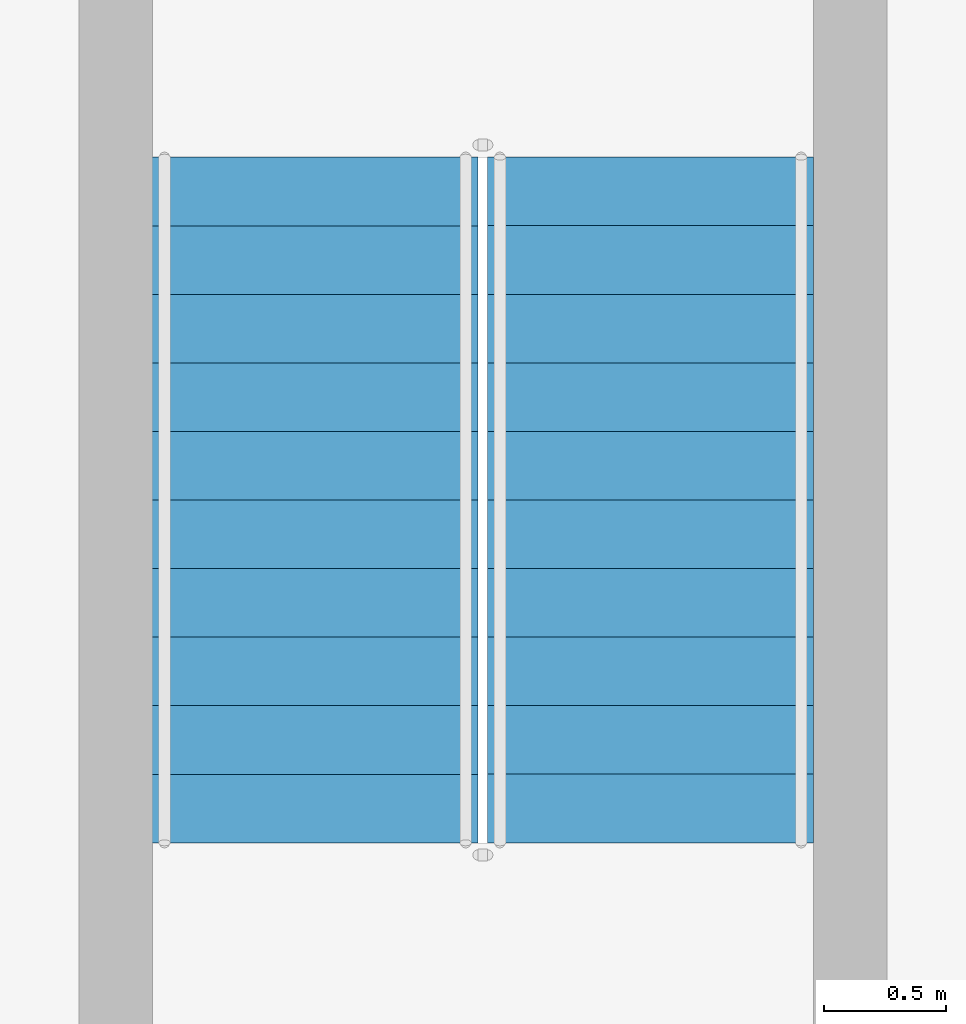
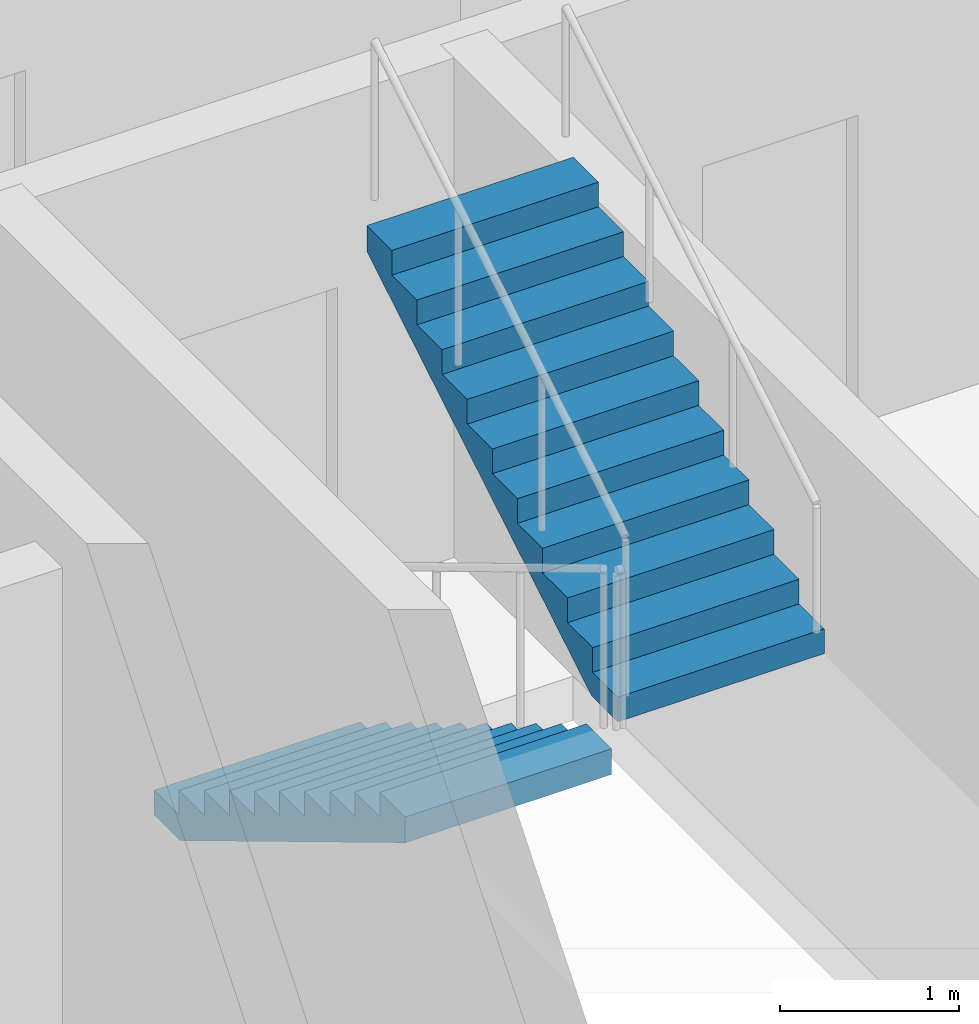
# One storey, part 15 of 24: 2 stair flights, 1 element without a shape of its own.
"""IFC4 building model written with IfcOpenShell, lengths in metres."""

from ifc_helpers import new_model, si_unit, direction, frame, origin, place, context, subcontext, project, spatial, triangles, source, transform, mapped, material, type_object, element, aggregate, save


model = new_model("IFC4")

# Units and contexts
model_context = context("Model", 3, precision=1e-05, world=origin(), true_north=direction((0.0, 1.0)))
body_context = subcontext(model_context, "Body", "Model", "MODEL_VIEW")
ifc_project = project(units=[si_unit("LENGTHUNIT", "METRE"), si_unit("AREAUNIT", "SQUARE_METRE"), si_unit("VOLUMEUNIT", "CUBIC_METRE"), si_unit("PLANEANGLEUNIT", "RADIAN"), si_unit("MASSUNIT", "GRAM", prefix="KILO")], contexts=[model_context])

# Site, building, storey
site_placement = place(None, origin())
site = spatial("IfcSite", under=ifc_project, at=site_placement, CompositionType="ELEMENT")
building_placement = place(site_placement, origin())
building = spatial("IfcBuilding", under=site, at=building_placement, Name="Ogive Portal Towers", CompositionType="ELEMENT")
storey_placement = place(building_placement, frame((0.0, 0.0, 142.199951171875)))
storey = spatial("IfcBuildingStorey", under=building, at=storey_placement, Name="L34", CompositionType="ELEMENT", Elevation=142.199951171875)

# Stair, stair flights
ifc_material = material(Name="Concrete C40/50", Category="concrete")
stair_type = type_object("IfcStairType", Name="INT-STAIR", PredefinedType="HALF_TURN_STAIR", material=ifc_material)
stair_placement = place(storey_placement, origin())
stair = element("IfcStair", 1, at=stair_placement, inside=storey, type_object=stair_type, Name="L34 Exit Stair ST-A4", PredefinedType="HALF_TURN_STAIR")
stair_flight_type = type_object("IfcStairFlightType", Name="INT-FLIGHT", PredefinedType="STRAIGHT", material=ifc_material)
shared_shape = source(origin(), body_context, "Body", "Tessellation", [
    triangles([(0.0, -0.6650390625, 0.0), (0.0, -0.384765625, 0.0), (0.0, -0.197021484375, 0.0), (0.0, -0.0830078125, 0.0), (0.0, -0.024658203125, 0.0), (0.0, -0.003173828125, 0.0), (0.0, 0.0, 0.0), (0.0, 0.003173828125, 0.0), (0.0, 0.024658203125, 0.0), (0.0, 0.0830078125, 0.0), (0.0, 0.197021484375, 0.0), (0.0, 0.384765625, 0.0), (0.0, 0.6650390625, 0.0), (0.0, -0.6650390625, 0.168212890625), (0.0, -0.384765625, 0.168212890625), (0.0, -0.197021484375, 0.168212890625), (0.0, -0.0830078125, 0.168212890625), (0.0, -0.024658203125, 0.168212890625), (0.0, -0.003173828125, 0.168212890625), (0.0, 0.0, 0.168212890625), (0.0, 0.003173828125, 0.168212890625), (0.0, 0.024658203125, 0.168212890625), (0.0, 0.0830078125, 0.168212890625), (0.0, 0.197021484375, 0.168212890625), (0.0, 0.384765625, 0.168212890625), (0.0, 0.6650390625, 0.168212890625), (0.280029296875, -0.6650390625, 0.168212890625), (0.280029296875, -0.384765625, 0.168212890625), (0.280029296875, -0.197021484375, 0.168212890625), (0.280029296875, -0.0830078125, 0.168212890625), (0.280029296875, -0.024658203125, 0.168212890625), (0.280029296875, -0.003173828125, 0.168212890625), (0.280029296875, 0.0, 0.168212890625), (0.280029296875, 0.003173828125, 0.168212890625), (0.280029296875, 0.024658203125, 0.168212890625), (0.280029296875, 0.0830078125, 0.168212890625), (0.280029296875, 0.197021484375, 0.168212890625), (0.280029296875, 0.384765625, 0.168212890625), (0.280029296875, 0.6650390625, 0.168212890625), (0.280029296875, -0.6650390625, 0.33642578125), (0.280029296875, -0.384765625, 0.33642578125), (0.280029296875, -0.197021484375, 0.33642578125), (0.280029296875, -0.0830078125, 0.33642578125), (0.280029296875, -0.024658203125, 0.33642578125), (0.280029296875, -0.003173828125, 0.33642578125), (0.280029296875, 0.0, 0.33642578125), (0.280029296875, 0.003173828125, 0.33642578125), (0.280029296875, 0.024658203125, 0.33642578125), (0.280029296875, 0.0830078125, 0.33642578125), (0.280029296875, 0.197021484375, 0.33642578125), (0.280029296875, 0.384765625, 0.33642578125), (0.280029296875, 0.6650390625, 0.33642578125), (0.56005859375, -0.6650390625, 0.33642578125), (0.56005859375, -0.384765625, 0.33642578125), (0.56005859375, -0.197021484375, 0.33642578125), (0.56005859375, -0.0830078125, 0.33642578125), (0.56005859375, -0.024658203125, 0.33642578125), (0.56005859375, -0.003173828125, 0.33642578125), (0.56005859375, 0.0, 0.33642578125), (0.56005859375, 0.003173828125, 0.33642578125), (0.56005859375, 0.024658203125, 0.33642578125), (0.56005859375, 0.0830078125, 0.33642578125), (0.56005859375, 0.197021484375, 0.33642578125), (0.56005859375, 0.384765625, 0.33642578125), (0.56005859375, 0.6650390625, 0.33642578125), (0.56005859375, -0.6650390625, 0.504638671875), (0.56005859375, -0.384765625, 0.504638671875), (0.56005859375, -0.197021484375, 0.504638671875), (0.56005859375, -0.0830078125, 0.504638671875), (0.56005859375, -0.024658203125, 0.504638671875), (0.56005859375, -0.003173828125, 0.504638671875), (0.56005859375, 0.0, 0.504638671875), (0.56005859375, 0.003173828125, 0.504638671875), (0.56005859375, 0.024658203125, 0.504638671875), (0.56005859375, 0.0830078125, 0.504638671875), (0.56005859375, 0.197021484375, 0.504638671875), (0.56005859375, 0.384765625, 0.504638671875), (0.56005859375, 0.6650390625, 0.504638671875), (0.840087890625, -0.6650390625, 0.504638671875), (0.840087890625, -0.384765625, 0.504638671875), (0.840087890625, -0.197021484375, 0.504638671875), (0.840087890625, -0.0830078125, 0.504638671875), (0.840087890625, -0.024658203125, 0.504638671875), (0.840087890625, -0.003173828125, 0.504638671875), (0.840087890625, 0.0, 0.504638671875), (0.840087890625, 0.003173828125, 0.504638671875), (0.840087890625, 0.024658203125, 0.504638671875), (0.840087890625, 0.0830078125, 0.504638671875), (0.840087890625, 0.197021484375, 0.504638671875), (0.840087890625, 0.384765625, 0.504638671875), (0.840087890625, 0.6650390625, 0.504638671875), (0.840087890625, -0.6650390625, 0.672607421875), (0.840087890625, -0.384765625, 0.672607421875), (0.840087890625, -0.197021484375, 0.672607421875), (0.840087890625, -0.0830078125, 0.672607421875), (0.840087890625, -0.024658203125, 0.672607421875), (0.840087890625, -0.003173828125, 0.672607421875), (0.840087890625, 0.0, 0.672607421875), (0.840087890625, 0.003173828125, 0.672607421875), (0.840087890625, 0.024658203125, 0.672607421875), (0.840087890625, 0.0830078125, 0.672607421875), (0.840087890625, 0.197021484375, 0.672607421875), (0.840087890625, 0.384765625, 0.672607421875), (0.840087890625, 0.6650390625, 0.672607421875), (1.1201171875, -0.6650390625, 0.672607421875), (1.1201171875, -0.384765625, 0.672607421875), (1.1201171875, -0.197021484375, 0.672607421875), (1.1201171875, -0.0830078125, 0.672607421875), (1.1201171875, -0.024658203125, 0.672607421875), (1.1201171875, -0.003173828125, 0.672607421875), (1.1201171875, 0.0, 0.672607421875), (1.1201171875, 0.003173828125, 0.672607421875), (1.1201171875, 0.024658203125, 0.672607421875), (1.1201171875, 0.0830078125, 0.672607421875), (1.1201171875, 0.197021484375, 0.672607421875), (1.1201171875, 0.384765625, 0.672607421875), (1.1201171875, 0.6650390625, 0.672607421875), (1.1201171875, -0.6650390625, 0.8408203125), (1.1201171875, -0.384765625, 0.8408203125), (1.1201171875, -0.197021484375, 0.8408203125), (1.1201171875, -0.0830078125, 0.8408203125), (1.1201171875, -0.024658203125, 0.8408203125), (1.1201171875, -0.003173828125, 0.8408203125), (1.1201171875, 0.0, 0.8408203125), (1.1201171875, 0.003173828125, 0.8408203125), (1.1201171875, 0.024658203125, 0.8408203125), (1.1201171875, 0.0830078125, 0.8408203125), (1.1201171875, 0.197021484375, 0.8408203125), (1.1201171875, 0.384765625, 0.8408203125), (1.1201171875, 0.6650390625, 0.8408203125), (1.39990234375, -0.6650390625, 0.8408203125), (1.39990234375, -0.384765625, 0.8408203125), (1.39990234375, -0.197021484375, 0.8408203125), (1.39990234375, -0.0830078125, 0.8408203125), (1.39990234375, -0.024658203125, 0.8408203125), (1.39990234375, -0.003173828125, 0.8408203125), (1.39990234375, 0.0, 0.8408203125), (1.39990234375, 0.003173828125, 0.8408203125), (1.39990234375, 0.024658203125, 0.8408203125), (1.39990234375, 0.0830078125, 0.8408203125), (1.39990234375, 0.197021484375, 0.8408203125), (1.39990234375, 0.384765625, 0.8408203125), (1.39990234375, 0.6650390625, 0.8408203125), (1.39990234375, -0.6650390625, 1.009033203125), (1.39990234375, -0.384765625, 1.009033203125), (1.39990234375, -0.197021484375, 1.009033203125), (1.39990234375, -0.0830078125, 1.009033203125), (1.39990234375, -0.024658203125, 1.009033203125), (1.39990234375, -0.003173828125, 1.009033203125), (1.39990234375, 0.0, 1.009033203125), (1.39990234375, 0.003173828125, 1.009033203125), (1.39990234375, 0.024658203125, 1.009033203125), (1.39990234375, 0.0830078125, 1.009033203125), (1.39990234375, 0.197021484375, 1.009033203125), (1.39990234375, 0.384765625, 1.009033203125), (1.39990234375, 0.6650390625, 1.009033203125), (1.679931640625, -0.6650390625, 1.009033203125), (1.679931640625, -0.384765625, 1.009033203125), (1.679931640625, -0.197021484375, 1.009033203125), (1.679931640625, -0.0830078125, 1.009033203125), (1.679931640625, -0.024658203125, 1.009033203125), (1.679931640625, -0.003173828125, 1.009033203125), (1.679931640625, 0.0, 1.009033203125), (1.679931640625, 0.003173828125, 1.009033203125), (1.679931640625, 0.024658203125, 1.009033203125), (1.679931640625, 0.0830078125, 1.009033203125), (1.679931640625, 0.197021484375, 1.009033203125), (1.679931640625, 0.384765625, 1.009033203125), (1.679931640625, 0.6650390625, 1.009033203125), (1.679931640625, -0.6650390625, 1.17724609375), (1.679931640625, -0.384765625, 1.17724609375), (1.679931640625, -0.197021484375, 1.17724609375), (1.679931640625, -0.0830078125, 1.17724609375), (1.679931640625, -0.024658203125, 1.17724609375), (1.679931640625, -0.003173828125, 1.17724609375), (1.679931640625, 0.0, 1.17724609375), (1.679931640625, 0.003173828125, 1.17724609375), (1.679931640625, 0.024658203125, 1.17724609375), (1.679931640625, 0.0830078125, 1.17724609375), (1.679931640625, 0.197021484375, 1.17724609375), (1.679931640625, 0.384765625, 1.17724609375), (1.679931640625, 0.6650390625, 1.17724609375), (1.9599609375, -0.6650390625, 1.17724609375), (1.9599609375, -0.384765625, 1.17724609375), (1.9599609375, -0.197021484375, 1.17724609375), (1.9599609375, -0.0830078125, 1.17724609375), (1.9599609375, -0.024658203125, 1.17724609375), (1.9599609375, -0.003173828125, 1.17724609375), (1.9599609375, 0.0, 1.17724609375), (1.9599609375, 0.003173828125, 1.17724609375), (1.9599609375, 0.024658203125, 1.17724609375), (1.9599609375, 0.0830078125, 1.17724609375), (1.9599609375, 0.197021484375, 1.17724609375), (1.9599609375, 0.384765625, 1.17724609375), (1.9599609375, 0.6650390625, 1.17724609375), (1.9599609375, -0.6650390625, 1.345458984375), (1.9599609375, -0.384765625, 1.345458984375), (1.9599609375, -0.197021484375, 1.345458984375), (1.9599609375, -0.0830078125, 1.345458984375), (1.9599609375, -0.024658203125, 1.345458984375), (1.9599609375, -0.003173828125, 1.345458984375), (1.9599609375, 0.0, 1.345458984375), (1.9599609375, 0.003173828125, 1.345458984375), (1.9599609375, 0.024658203125, 1.345458984375), (1.9599609375, 0.0830078125, 1.345458984375), (1.9599609375, 0.197021484375, 1.345458984375), (1.9599609375, 0.384765625, 1.345458984375), (1.9599609375, 0.6650390625, 1.345458984375), (2.239990234375, -0.6650390625, 1.345458984375), (2.239990234375, -0.384765625, 1.345458984375), (2.239990234375, -0.197021484375, 1.345458984375), (2.239990234375, -0.0830078125, 1.345458984375), (2.239990234375, -0.024658203125, 1.345458984375), (2.239990234375, -0.003173828125, 1.345458984375), (2.239990234375, 0.0, 1.345458984375), (2.239990234375, 0.003173828125, 1.345458984375), (2.239990234375, 0.024658203125, 1.345458984375), (2.239990234375, 0.0830078125, 1.345458984375), (2.239990234375, 0.197021484375, 1.345458984375), (2.239990234375, 0.384765625, 1.345458984375), (2.239990234375, 0.6650390625, 1.345458984375), (2.239990234375, -0.6650390625, 1.513671875), (2.239990234375, -0.384765625, 1.513671875), (2.239990234375, -0.197021484375, 1.513671875), (2.239990234375, -0.0830078125, 1.513671875), (2.239990234375, -0.024658203125, 1.513671875), (2.239990234375, -0.003173828125, 1.513671875), (2.239990234375, 0.0, 1.513671875), (2.239990234375, 0.003173828125, 1.513671875), (2.239990234375, 0.024658203125, 1.513671875), (2.239990234375, 0.0830078125, 1.513671875), (2.239990234375, 0.197021484375, 1.513671875), (2.239990234375, 0.384765625, 1.513671875), (2.239990234375, 0.6650390625, 1.513671875), (2.52001953125, -0.6650390625, 1.513671875), (2.52001953125, -0.384765625, 1.513671875), (2.52001953125, -0.197021484375, 1.513671875), (2.52001953125, -0.0830078125, 1.513671875), (2.52001953125, -0.024658203125, 1.513671875), (2.52001953125, -0.003173828125, 1.513671875), (2.52001953125, 0.0, 1.513671875), (2.52001953125, 0.003173828125, 1.513671875), (2.52001953125, 0.024658203125, 1.513671875), (2.52001953125, 0.0830078125, 1.513671875), (2.52001953125, 0.197021484375, 1.513671875), (2.52001953125, 0.384765625, 1.513671875), (2.52001953125, 0.6650390625, 1.513671875), (2.52001953125, -0.6650390625, 1.681884765625), (2.52001953125, -0.384765625, 1.681884765625), (2.52001953125, -0.197021484375, 1.681884765625), (2.52001953125, -0.0830078125, 1.681884765625), (2.52001953125, -0.024658203125, 1.681884765625), (2.52001953125, -0.003173828125, 1.681884765625), (2.52001953125, 0.0, 1.681884765625), (2.52001953125, 0.003173828125, 1.681884765625), (2.52001953125, 0.024658203125, 1.681884765625), (2.52001953125, 0.0830078125, 1.681884765625), (2.52001953125, 0.197021484375, 1.681884765625), (2.52001953125, 0.384765625, 1.681884765625), (2.52001953125, 0.6650390625, 1.681884765625), (2.800048828125, -0.6650390625, 1.681884765625), (2.800048828125, -0.384765625, 1.681884765625), (2.800048828125, -0.197021484375, 1.681884765625), (2.800048828125, -0.0830078125, 1.681884765625), (2.800048828125, -0.024658203125, 1.681884765625), (2.800048828125, -0.003173828125, 1.681884765625), (2.800048828125, 0.0, 1.681884765625), (2.800048828125, 0.003173828125, 1.681884765625), (2.800048828125, 0.024658203125, 1.681884765625), (2.800048828125, 0.0830078125, 1.681884765625), (2.800048828125, 0.197021484375, 1.681884765625), (2.800048828125, 0.384765625, 1.681884765625), (2.800048828125, 0.6650390625, 1.681884765625), (2.800048828125, -0.6650390625, 1.5068359375), (2.800048828125, -0.384765625, 1.5068359375), (2.800048828125, -0.197021484375, 1.5068359375), (2.800048828125, -0.0830078125, 1.5068359375), (2.800048828125, -0.024658203125, 1.5068359375), (2.800048828125, -0.003173828125, 1.5068359375), (2.800048828125, 0.0, 1.5068359375), (2.800048828125, 0.003173828125, 1.5068359375), (2.800048828125, 0.024658203125, 1.5068359375), (2.800048828125, 0.0830078125, 1.5068359375), (2.800048828125, 0.197021484375, 1.5068359375), (2.800048828125, 0.384765625, 1.5068359375), (2.800048828125, 0.6650390625, 1.5068359375), (0.291015625, -0.6650390625, 0.0), (0.291015625, -0.384765625, 0.0), (0.291015625, -0.197021484375, 0.0), (0.291015625, -0.0830078125, 0.0), (0.291015625, -0.024658203125, 0.0), (0.291015625, -0.003173828125, 0.0), (0.291015625, 0.0, 0.0), (0.291015625, 0.003173828125, 0.0), (0.291015625, 0.024658203125, 0.0), (0.291015625, 0.0830078125, 0.0), (0.291015625, 0.197021484375, 0.0), (0.291015625, 0.384765625, 0.0), (0.291015625, 0.6650390625, 0.0)], [[1, 14, 15], [1, 15, 2], [2, 15, 16], [2, 16, 3], [3, 16, 17], [3, 17, 4], [4, 17, 18], [4, 18, 5], [5, 18, 19], [5, 19, 6], [6, 19, 20], [6, 20, 7], [7, 20, 21], [7, 21, 8], [8, 21, 22], [8, 22, 9], [9, 22, 23], [9, 23, 10], [10, 23, 24], [10, 24, 11], [11, 24, 25], [11, 25, 12], [12, 25, 26], [12, 26, 13], [14, 27, 28], [14, 28, 15], [15, 28, 29], [15, 29, 16], [16, 29, 30], [16, 30, 17], [17, 30, 31], [17, 31, 18], [18, 31, 32], [18, 32, 19], [19, 32, 33], [19, 33, 20], [20, 33, 34], [20, 34, 21], [21, 34, 35], [21, 35, 22], [22, 35, 36], [22, 36, 23], [23, 36, 37], [23, 37, 24], [24, 37, 38], [24, 38, 25], [25, 38, 39], [25, 39, 26], [27, 40, 41], [27, 41, 28], [28, 41, 42], [28, 42, 29], [29, 42, 43], [29, 43, 30], [30, 43, 44], [30, 44, 31], [31, 44, 45], [31, 45, 32], [32, 45, 46], [32, 46, 33], [33, 46, 47], [33, 47, 34], [34, 47, 48], [34, 48, 35], [35, 48, 49], [35, 49, 36], [36, 49, 50], [36, 50, 37], [37, 50, 51], [37, 51, 38], [38, 51, 52], [38, 52, 39], [40, 53, 54], [40, 54, 41], [41, 54, 55], [41, 55, 42], [42, 55, 56], [42, 56, 43], [43, 56, 57], [43, 57, 44], [44, 57, 58], [44, 58, 45], [45, 58, 59], [45, 59, 46], [46, 59, 60], [46, 60, 47], [47, 60, 61], [47, 61, 48], [48, 61, 62], [48, 62, 49], [49, 62, 63], [49, 63, 50], [50, 63, 64], [50, 64, 51], [51, 64, 65], [51, 65, 52], [53, 66, 67], [53, 67, 54], [54, 67, 68], [54, 68, 55], [55, 68, 69], [55, 69, 56], [56, 69, 70], [56, 70, 57], [57, 70, 71], [57, 71, 58], [58, 71, 72], [58, 72, 59], [59, 72, 73], [59, 73, 60], [60, 73, 74], [60, 74, 61], [61, 74, 75], [61, 75, 62], [62, 75, 76], [62, 76, 63], [63, 76, 77], [63, 77, 64], [64, 77, 78], [64, 78, 65], [66, 79, 80], [66, 80, 67], [67, 80, 81], [67, 81, 68], [68, 81, 82], [68, 82, 69], [69, 82, 83], [69, 83, 70], [70, 83, 84], [70, 84, 71], [71, 84, 85], [71, 85, 72], [72, 85, 86], [72, 86, 73], [73, 86, 87], [73, 87, 74], [74, 87, 88], [74, 88, 75], [75, 88, 89], [75, 89, 76], [76, 89, 90], [76, 90, 77], [77, 90, 91], [77, 91, 78], [79, 92, 93], [79, 93, 80], [80, 93, 94], [80, 94, 81], [81, 94, 95], [81, 95, 82], [82, 95, 96], [82, 96, 83], [83, 96, 97], [83, 97, 84], [84, 97, 98], [84, 98, 85], [85, 98, 99], [85, 99, 86], [86, 99, 100], [86, 100, 87], [87, 100, 101], [87, 101, 88], [88, 101, 102], [88, 102, 89], [89, 102, 103], [89, 103, 90], [90, 103, 104], [90, 104, 91], [92, 105, 106], [92, 106, 93], [93, 106, 107], [93, 107, 94], [94, 107, 108], [94, 108, 95], [95, 108, 109], [95, 109, 96], [96, 109, 110], [96, 110, 97], [97, 110, 111], [97, 111, 98], [98, 111, 112], [98, 112, 99], [99, 112, 113], [99, 113, 100], [100, 113, 114], [100, 114, 101], [101, 114, 115], [101, 115, 102], [102, 115, 116], [102, 116, 103], [103, 116, 117], [103, 117, 104], [105, 118, 119], [105, 119, 106], [106, 119, 120], [106, 120, 107], [107, 120, 121], [107, 121, 108], [108, 121, 122], [108, 122, 109], [109, 122, 123], [109, 123, 110], [110, 123, 124], [110, 124, 111], [111, 124, 125], [111, 125, 112], [112, 125, 126], [112, 126, 113], [113, 126, 127], [113, 127, 114], [114, 127, 128], [114, 128, 115], [115, 128, 129], [115, 129, 116], [116, 129, 130], [116, 130, 117], [118, 131, 132], [118, 132, 119], [119, 132, 133], [119, 133, 120], [120, 133, 134], [120, 134, 121], [121, 134, 135], [121, 135, 122], [122, 135, 136], [122, 136, 123], [123, 136, 137], [123, 137, 124], [124, 137, 138], [124, 138, 125], [125, 138, 139], [125, 139, 126], [126, 139, 140], [126, 140, 127], [127, 140, 141], [127, 141, 128], [128, 141, 142], [128, 142, 129], [129, 142, 143], [129, 143, 130], [131, 144, 145], [131, 145, 132], [132, 145, 146], [132, 146, 133], [133, 146, 147], [133, 147, 134], [134, 147, 148], [134, 148, 135], [135, 148, 149], [135, 149, 136], [136, 149, 150], [136, 150, 137], [137, 150, 151], [137, 151, 138], [138, 151, 152], [138, 152, 139], [139, 152, 153], [139, 153, 140], [140, 153, 154], [140, 154, 141], [141, 154, 155], [141, 155, 142], [142, 155, 156], [142, 156, 143], [144, 157, 158], [144, 158, 145], [145, 158, 159], [145, 159, 146], [146, 159, 160], [146, 160, 147], [147, 160, 161], [147, 161, 148], [148, 161, 162], [148, 162, 149], [149, 162, 163], [149, 163, 150], [150, 163, 164], [150, 164, 151], [151, 164, 165], [151, 165, 152], [152, 165, 166], [152, 166, 153], [153, 166, 167], [153, 167, 154], [154, 167, 168], [154, 168, 155], [155, 168, 169], [155, 169, 156], [157, 170, 171], [157, 171, 158], [158, 171, 172], [158, 172, 159], [159, 172, 173], [159, 173, 160], [160, 173, 174], [160, 174, 161], [161, 174, 175], [161, 175, 162], [162, 175, 176], [162, 176, 163], [163, 176, 177], [163, 177, 164], [164, 177, 178], [164, 178, 165], [165, 178, 179], [165, 179, 166], [166, 179, 180], [166, 180, 167], [167, 180, 181], [167, 181, 168], [168, 181, 182], [168, 182, 169], [170, 183, 184], [170, 184, 171], [171, 184, 185], [171, 185, 172], [172, 185, 186], [172, 186, 173], [173, 186, 187], [173, 187, 174], [174, 187, 188], [174, 188, 175], [175, 188, 189], [175, 189, 176], [176, 189, 190], [176, 190, 177], [177, 190, 191], [177, 191, 178], [178, 191, 192], [178, 192, 179], [179, 192, 193], [179, 193, 180], [180, 193, 194], [180, 194, 181], [181, 194, 195], [181, 195, 182], [183, 196, 197], [183, 197, 184], [184, 197, 198], [184, 198, 185], [185, 198, 199], [185, 199, 186], [186, 199, 200], [186, 200, 187], [187, 200, 201], [187, 201, 188], [188, 201, 202], [188, 202, 189], [189, 202, 203], [189, 203, 190], [190, 203, 204], [190, 204, 191], [191, 204, 205], [191, 205, 192], [192, 205, 206], [192, 206, 193], [193, 206, 207], [193, 207, 194], [194, 207, 208], [194, 208, 195], [196, 209, 210], [196, 210, 197], [197, 210, 211], [197, 211, 198], [198, 211, 212], [198, 212, 199], [199, 212, 213], [199, 213, 200], [200, 213, 214], [200, 214, 201], [201, 214, 215], [201, 215, 202], [202, 215, 216], [202, 216, 203], [203, 216, 217], [203, 217, 204], [204, 217, 218], [204, 218, 205], [205, 218, 219], [205, 219, 206], [206, 219, 220], [206, 220, 207], [207, 220, 221], [207, 221, 208], [209, 222, 223], [209, 223, 210], [210, 223, 224], [210, 224, 211], [211, 224, 225], [211, 225, 212], [212, 225, 226], [212, 226, 213], [213, 226, 227], [213, 227, 214], [214, 227, 228], [214, 228, 215], [215, 228, 229], [215, 229, 216], [216, 229, 230], [216, 230, 217], [217, 230, 231], [217, 231, 218], [218, 231, 232], [218, 232, 219], [219, 232, 233], [219, 233, 220], [220, 233, 234], [220, 234, 221], [222, 235, 236], [222, 236, 223], [223, 236, 237], [223, 237, 224], [224, 237, 238], [224, 238, 225], [225, 238, 239], [225, 239, 226], [226, 239, 240], [226, 240, 227], [227, 240, 241], [227, 241, 228], [228, 241, 242], [228, 242, 229], [229, 242, 243], [229, 243, 230], [230, 243, 244], [230, 244, 231], [231, 244, 245], [231, 245, 232], [232, 245, 246], [232, 246, 233], [233, 246, 247], [233, 247, 234], [235, 248, 249], [235, 249, 236], [236, 249, 250], [236, 250, 237], [237, 250, 251], [237, 251, 238], [238, 251, 252], [238, 252, 239], [239, 252, 253], [239, 253, 240], [240, 253, 254], [240, 254, 241], [241, 254, 255], [241, 255, 242], [242, 255, 256], [242, 256, 243], [243, 256, 257], [243, 257, 244], [244, 257, 258], [244, 258, 245], [245, 258, 259], [245, 259, 246], [246, 259, 260], [246, 260, 247], [248, 261, 262], [248, 262, 249], [249, 262, 263], [249, 263, 250], [250, 263, 264], [250, 264, 251], [251, 264, 265], [251, 265, 252], [252, 265, 266], [252, 266, 253], [253, 266, 267], [253, 267, 254], [254, 267, 268], [254, 268, 255], [255, 268, 269], [255, 269, 256], [256, 269, 270], [256, 270, 257], [257, 270, 271], [257, 271, 258], [258, 271, 272], [258, 272, 259], [259, 272, 273], [259, 273, 260], [261, 274, 275], [261, 275, 262], [262, 275, 276], [262, 276, 263], [263, 276, 277], [263, 277, 264], [264, 277, 278], [264, 278, 265], [265, 278, 279], [265, 279, 266], [266, 279, 280], [266, 280, 267], [267, 280, 281], [267, 281, 268], [268, 281, 282], [268, 282, 269], [269, 282, 283], [269, 283, 270], [270, 283, 284], [270, 284, 271], [271, 284, 285], [271, 285, 272], [272, 285, 286], [272, 286, 273], [274, 287, 288], [274, 288, 275], [275, 288, 289], [275, 289, 276], [276, 289, 290], [276, 290, 277], [277, 290, 291], [277, 291, 278], [278, 291, 292], [278, 292, 279], [279, 292, 293], [279, 293, 280], [280, 293, 294], [280, 294, 281], [281, 294, 295], [281, 295, 282], [282, 295, 296], [282, 296, 283], [283, 296, 297], [283, 297, 284], [284, 297, 298], [284, 298, 285], [285, 298, 299], [285, 299, 286], [287, 1, 2], [287, 2, 288], [288, 2, 3], [288, 3, 289], [289, 3, 4], [289, 4, 290], [290, 4, 5], [290, 5, 291], [291, 5, 6], [291, 6, 292], [292, 6, 7], [292, 7, 293], [293, 7, 8], [293, 8, 294], [294, 8, 9], [294, 9, 295], [295, 9, 10], [295, 10, 296], [296, 10, 11], [296, 11, 297], [297, 11, 12], [297, 12, 298], [298, 12, 13], [298, 13, 299], [1, 287, 274], [13, 286, 299], [274, 261, 248], [286, 260, 273], [274, 248, 235], [286, 247, 260], [274, 235, 222], [286, 234, 247], [274, 222, 209], [286, 221, 234], [209, 196, 183], [221, 195, 208], [274, 209, 183], [286, 195, 221], [183, 170, 157], [195, 169, 182], [274, 183, 157], [286, 169, 195], [157, 144, 131], [169, 143, 156], [274, 157, 131], [286, 143, 169], [131, 118, 105], [143, 117, 130], [274, 131, 105], [286, 117, 143], [1, 274, 105], [13, 117, 286], [105, 92, 79], [117, 91, 104], [79, 66, 53], [91, 65, 78], [105, 79, 53], [117, 65, 91], [53, 40, 27], [65, 39, 52], [105, 53, 27], [117, 39, 65], [1, 105, 27], [13, 39, 117], [27, 14, 1], [39, 13, 26]], closed=True),
])
stair_flight_1_placement = place(storey_placement, frame((87.6650390625, 29.169921875, 0.0), z_axis=(0.0, 0.0, 1.0), x_axis=(0.0, -1.0, 0.0)))
stair_flight_1 = element("IfcStairFlight", 2, at=stair_flight_1_placement, type_object=stair_flight_type, Name="ST-A4 flight 1", NumberOfRisers=11, NumberOfTreads=10, PredefinedType="STRAIGHT", RiserHeight=0.168181818, TreadLength=0.28, context=body_context, shape_type="MappedRepresentation", body=[
    mapped(shared_shape, transform((0.0, 0.0, 0.0), scale=1.0)),
])
stair_flight_2_placement = place(storey_placement, frame((89.034912109375, 26.3701171875, 1.85009765625), z_axis=(0.0, 0.0, 1.0), x_axis=(0.0, 1.0, 0.0)))
stair_flight_2 = element("IfcStairFlight", 3, at=stair_flight_2_placement, type_object=stair_flight_type, Name="ST-A4 flight 2", NumberOfRisers=11, NumberOfTreads=10, PredefinedType="STRAIGHT", RiserHeight=0.168181818, TreadLength=0.28, context=body_context, shape_type="MappedRepresentation", body=[
    mapped(shared_shape, transform((0.0, 0.0, 0.0), scale=1.0)),
])
aggregate(stair, [stair_flight_1, stair_flight_2])

save(model, "model.ifc")
